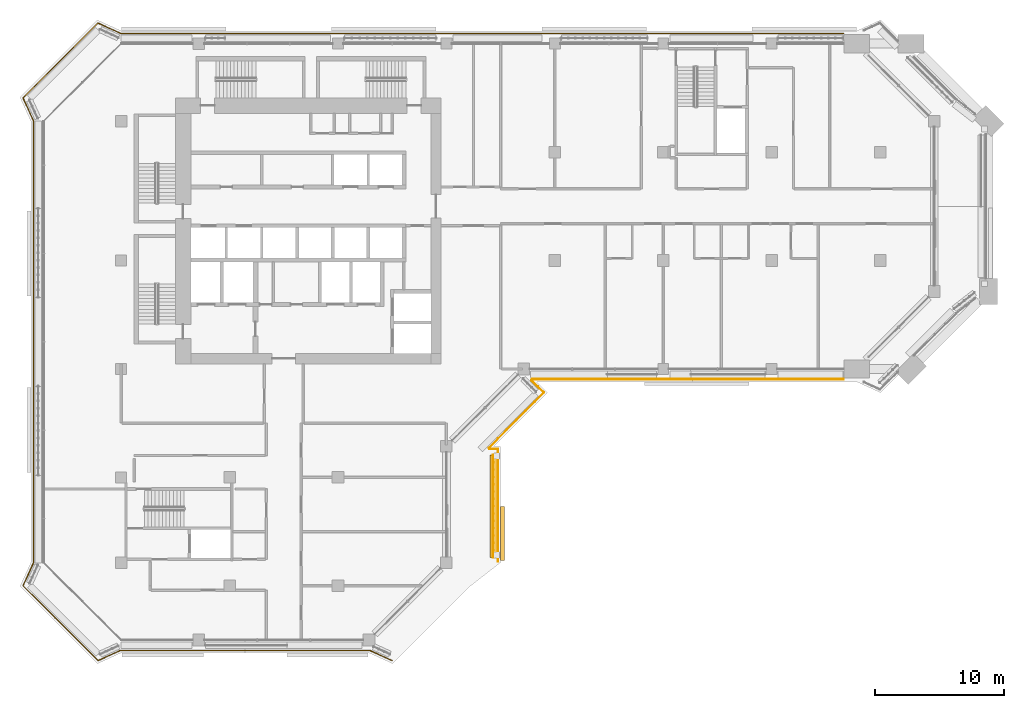
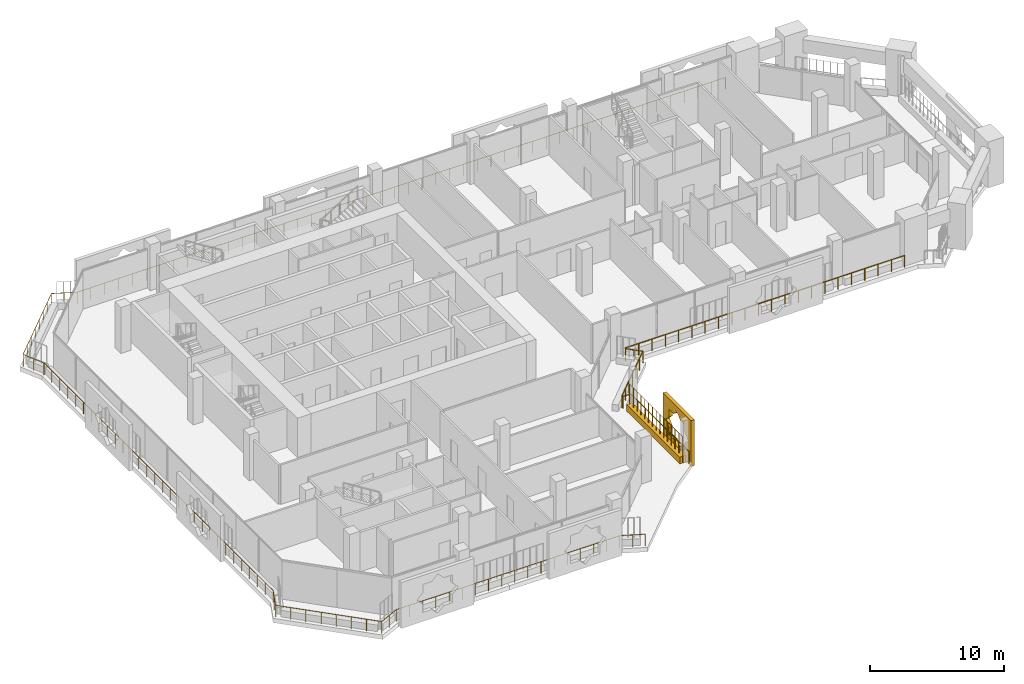
# One storey, part 17 of 21: 3 railings, 2 coverings.
"""IFC4 building model written with IfcOpenShell, lengths in metres."""

from ifc_helpers import new_model, si_unit, direction, frame, origin, origin_2d, place, context, subcontext, project, spatial, polyline, rectangle, circle, outline, extrude, material, material_profile, profile_set, type_object, element, save


model = new_model("IFC4")

# Units and contexts
model_context = context("Model", 3, precision=1e-05, world=origin(), true_north=direction((0.0, 1.0)))
body_context = subcontext(model_context, "Body", "Model", "MODEL_VIEW")
ifc_project = project(units=[si_unit("LENGTHUNIT", "METRE"), si_unit("AREAUNIT", "SQUARE_METRE"), si_unit("VOLUMEUNIT", "CUBIC_METRE"), si_unit("PLANEANGLEUNIT", "RADIAN"), si_unit("MASSUNIT", "GRAM", prefix="KILO")], contexts=[model_context])

# Site, building, storey
site_placement = place(None, origin())
site = spatial("IfcSite", under=ifc_project, at=site_placement, CompositionType="ELEMENT")
building_placement = place(site_placement, origin())
building = spatial("IfcBuilding", under=site, at=building_placement, Name="Kawkab Arch Medical Tower", CompositionType="ELEMENT")
storey_placement = place(building_placement, frame((0.0, 0.0, 234.800048828125)))
storey = spatial("IfcBuildingStorey", under=building, at=storey_placement, Name="L54", CompositionType="ELEMENT", Elevation=234.800048828125)

# Railings
ifc_material_1 = material(Name="Bronze anodised aluminium guard", Category="aluminium")
railing_type_1 = type_object("IfcRailingType", Name="Loggia and terrace guard 1100", PredefinedType="GUARDRAIL", material=ifc_material_1)
railing_1_placement = place(storey_placement, frame((20.9951171875, -47.798095703125, 0.0)))
element("IfcRailing", 1, at=railing_1_placement, inside=storey, type_object=railing_type_1, Name="Guard L54.LOG-01.1.1", PredefinedType="GUARDRAIL", context=body_context, shape_type="SweptSolid", body=[
    extrude(circle(Radius=0.02392578125, at=origin_2d()), frame((0.0, 0.0, 1.076171875), z_axis=(-0.910044860056, 0.414509773934, 0.0), x_axis=(-0.414509773934, -0.910044860056, 0.0)), (0.0, 0.0, 1.0), 1.92529296875),
    extrude(circle(Radius=0.02392578125, at=origin_2d()), frame((-1.752197265625, 0.798095703125, 1.076171875), z_axis=(-1.0, 0.0, 0.0), x_axis=(0.0, -1.0, 0.0)), (0.0, 0.0, 1.0), 19.285888671875),
    extrude(circle(Radius=0.02392578125, at=origin_2d()), frame((-21.0380859375, 0.798095703125, 1.076171875), z_axis=(-0.910023069687, -0.414557610759, 0.0), x_axis=(0.414557610759, -0.910023069687, 0.0)), (0.0, 0.0, 1.0), 1.92529296875),
    extrude(circle(Radius=0.02392578125, at=origin_2d()), frame((-22.7900390625, 0.0, 1.076171875), z_axis=(-0.707106781187, 0.707106781187, 0.0), x_axis=(-0.707106781187, -0.707106781187, 0.0)), (0.0, 0.0, 1.0), 8.20654296875),
    extrude(circle(Radius=0.02392578125, at=origin_2d()), frame((-28.593017578125, 5.802978515625, 1.076171875), z_axis=(0.414404752076, 0.910092688388, 0.0), x_axis=(-0.910092688388, 0.414404752076, 0.0)), (0.0, 0.0, 1.0), 1.92529296875),
    extrude(circle(Radius=0.02392578125, at=origin_2d()), frame((-27.795166015625, 7.55517578125, 1.076171875), z_axis=(0.0, 1.0, 0.0), x_axis=(-1.0, 0.0, 0.0)), (0.0, 0.0, 1.0), 34.285888671875),
    extrude(circle(Radius=0.02392578125, at=origin_2d()), frame((-27.795166015625, 41.841064453125, 1.076171875), z_axis=(-0.414452581809, 0.910070907914, 0.0), x_axis=(-0.910070907914, -0.414452581809, 0.0)), (0.0, 0.0, 1.0), 1.925048828125),
    extrude(circle(Radius=0.02392578125, at=origin_2d()), frame((-28.593017578125, 43.593017578125, 1.076171875), z_axis=(0.707106781187, 0.707106781187, 0.0), x_axis=(-0.707106781187, 0.707106781187, 0.0)), (0.0, 0.0, 1.0), 8.20654296875),
    extrude(circle(Radius=0.02392578125, at=origin_2d()), frame((-22.7900390625, 49.39599609375, 1.076171875), z_axis=(0.910070907914, -0.414452581809, 0.0), x_axis=(0.414452581809, 0.910070907914, 0.0)), (0.0, 0.0, 1.0), 1.925048828125),
    extrude(circle(Radius=0.02392578125, at=origin_2d()), frame((-21.0380859375, 48.59814453125, 1.076171875), z_axis=(1.0, 0.0, 0.0), x_axis=(0.0, 1.0, 0.0)), (0.0, 0.0, 1.0), 56.012939453125),
    extrude(circle(Radius=0.02099609375, at=origin_2d()), origin(), (0.0, 0.0, 1.0), 1.052001953125),
    extrude(circle(Radius=0.02099609375, at=origin_2d()), frame((-0.8759765625, 0.39892578125, 0.0)), (0.0, 0.0, 1.0), 1.052001953125),
    extrude(circle(Radius=0.02099609375, at=origin_2d()), frame((-1.752197265625, 0.798095703125, 0.0)), (0.0, 0.0, 1.0), 1.052001953125),
    extrude(circle(Radius=0.02099609375, at=origin_2d()), frame((-2.88671875, 0.798095703125, 0.0)), (0.0, 0.0, 1.0), 1.052001953125),
    extrude(circle(Radius=0.02099609375, at=origin_2d()), frame((-4.021240234375, 0.798095703125, 0.0)), (0.0, 0.0, 1.0), 1.052001953125),
    extrude(circle(Radius=0.02099609375, at=origin_2d()), frame((-5.155517578125, 0.798095703125, 0.0)), (0.0, 0.0, 1.0), 1.052001953125),
    extrude(circle(Radius=0.02099609375, at=origin_2d()), frame((-6.2900390625, 0.798095703125, 0.0)), (0.0, 0.0, 1.0), 1.052001953125),
    extrude(circle(Radius=0.02099609375, at=origin_2d()), frame((-7.424560546875, 0.798095703125, 0.0)), (0.0, 0.0, 1.0), 1.052001953125),
    extrude(circle(Radius=0.02099609375, at=origin_2d()), frame((-8.55908203125, 0.798095703125, 0.0)), (0.0, 0.0, 1.0), 1.052001953125),
    extrude(circle(Radius=0.02099609375, at=origin_2d()), frame((-9.693359375, 0.798095703125, 0.0)), (0.0, 0.0, 1.0), 1.052001953125),
    extrude(circle(Radius=0.02099609375, at=origin_2d()), frame((-10.827880859375, 0.798095703125, 0.0)), (0.0, 0.0, 1.0), 1.052001953125),
    extrude(circle(Radius=0.02099609375, at=origin_2d()), frame((-11.96240234375, 0.798095703125, 0.0)), (0.0, 0.0, 1.0), 1.052001953125),
    extrude(circle(Radius=0.02099609375, at=origin_2d()), frame((-13.096923828125, 0.798095703125, 0.0)), (0.0, 0.0, 1.0), 1.052001953125),
    extrude(circle(Radius=0.02099609375, at=origin_2d()), frame((-14.231201171875, 0.798095703125, 0.0)), (0.0, 0.0, 1.0), 1.052001953125),
    extrude(circle(Radius=0.02099609375, at=origin_2d()), frame((-15.36572265625, 0.798095703125, 0.0)), (0.0, 0.0, 1.0), 1.052001953125),
    extrude(circle(Radius=0.02099609375, at=origin_2d()), frame((-16.500244140625, 0.798095703125, 0.0)), (0.0, 0.0, 1.0), 1.052001953125),
    extrude(circle(Radius=0.02099609375, at=origin_2d()), frame((-17.634765625, 0.798095703125, 0.0)), (0.0, 0.0, 1.0), 1.052001953125),
    extrude(circle(Radius=0.02099609375, at=origin_2d()), frame((-18.76904296875, 0.798095703125, 0.0)), (0.0, 0.0, 1.0), 1.052001953125),
    extrude(circle(Radius=0.02099609375, at=origin_2d()), frame((-19.903564453125, 0.798095703125, 0.0)), (0.0, 0.0, 1.0), 1.052001953125),
    extrude(circle(Radius=0.02099609375, at=origin_2d()), frame((-21.0380859375, 0.798095703125, 0.0)), (0.0, 0.0, 1.0), 1.052001953125),
    extrude(circle(Radius=0.02099609375, at=origin_2d()), frame((-21.9140625, 0.39892578125, 0.0)), (0.0, 0.0, 1.0), 1.052001953125),
    extrude(circle(Radius=0.02099609375, at=origin_2d()), frame((-22.7900390625, 0.0, 0.0)), (0.0, 0.0, 1.0), 1.052001953125),
    extrude(circle(Radius=0.02099609375, at=origin_2d()), frame((-23.619140625, 0.8291015625, 0.0)), (0.0, 0.0, 1.0), 1.052001953125),
    extrude(circle(Radius=0.02099609375, at=origin_2d()), frame((-24.447998046875, 1.657958984375, 0.0)), (0.0, 0.0, 1.0), 1.052001953125),
    extrude(circle(Radius=0.02099609375, at=origin_2d()), frame((-25.277099609375, 2.487060546875, 0.0)), (0.0, 0.0, 1.0), 1.052001953125),
    extrude(circle(Radius=0.02099609375, at=origin_2d()), frame((-26.10595703125, 3.31591796875, 0.0)), (0.0, 0.0, 1.0), 1.052001953125),
    extrude(circle(Radius=0.02099609375, at=origin_2d()), frame((-26.93505859375, 4.14501953125, 0.0)), (0.0, 0.0, 1.0), 1.052001953125),
    extrude(circle(Radius=0.02099609375, at=origin_2d()), frame((-27.763916015625, 4.973876953125, 0.0)), (0.0, 0.0, 1.0), 1.052001953125),
    extrude(circle(Radius=0.02099609375, at=origin_2d()), frame((-28.593017578125, 5.802978515625, 0.0)), (0.0, 0.0, 1.0), 1.052001953125),
    extrude(circle(Radius=0.02099609375, at=origin_2d()), frame((-28.194091796875, 6.67919921875, 0.0)), (0.0, 0.0, 1.0), 1.052001953125),
    extrude(circle(Radius=0.02099609375, at=origin_2d()), frame((-27.795166015625, 7.55517578125, 0.0)), (0.0, 0.0, 1.0), 1.052001953125),
    extrude(circle(Radius=0.02099609375, at=origin_2d()), frame((-27.795166015625, 8.737548828125, 0.0)), (0.0, 0.0, 1.0), 1.052001953125),
    extrude(circle(Radius=0.02099609375, at=origin_2d()), frame((-27.795166015625, 9.919677734375, 0.0)), (0.0, 0.0, 1.0), 1.052001953125),
    extrude(circle(Radius=0.02099609375, at=origin_2d()), frame((-27.795166015625, 11.10205078125, 0.0)), (0.0, 0.0, 1.0), 1.052001953125),
    extrude(circle(Radius=0.02099609375, at=origin_2d()), frame((-27.795166015625, 12.2841796875, 0.0)), (0.0, 0.0, 1.0), 1.052001953125),
    extrude(circle(Radius=0.02099609375, at=origin_2d()), frame((-27.795166015625, 13.466552734375, 0.0)), (0.0, 0.0, 1.0), 1.052001953125),
    extrude(circle(Radius=0.02099609375, at=origin_2d()), frame((-27.795166015625, 14.64892578125, 0.0)), (0.0, 0.0, 1.0), 1.052001953125),
    extrude(circle(Radius=0.02099609375, at=origin_2d()), frame((-27.795166015625, 15.8310546875, 0.0)), (0.0, 0.0, 1.0), 1.052001953125),
    extrude(circle(Radius=0.02099609375, at=origin_2d()), frame((-27.795166015625, 17.013427734375, 0.0)), (0.0, 0.0, 1.0), 1.052001953125),
    extrude(circle(Radius=0.02099609375, at=origin_2d()), frame((-27.795166015625, 18.195556640625, 0.0)), (0.0, 0.0, 1.0), 1.052001953125),
    extrude(circle(Radius=0.02099609375, at=origin_2d()), frame((-27.795166015625, 19.3779296875, 0.0)), (0.0, 0.0, 1.0), 1.052001953125),
    extrude(circle(Radius=0.02099609375, at=origin_2d()), frame((-27.795166015625, 20.56005859375, 0.0)), (0.0, 0.0, 1.0), 1.052001953125),
    extrude(circle(Radius=0.02099609375, at=origin_2d()), frame((-27.795166015625, 21.742431640625, 0.0)), (0.0, 0.0, 1.0), 1.052001953125),
    extrude(circle(Radius=0.02099609375, at=origin_2d()), frame((-27.795166015625, 22.9248046875, 0.0)), (0.0, 0.0, 1.0), 1.052001953125),
    extrude(circle(Radius=0.02099609375, at=origin_2d()), frame((-27.795166015625, 24.10693359375, 0.0)), (0.0, 0.0, 1.0), 1.052001953125),
    extrude(circle(Radius=0.02099609375, at=origin_2d()), frame((-27.795166015625, 25.289306640625, 0.0)), (0.0, 0.0, 1.0), 1.052001953125),
    extrude(circle(Radius=0.02099609375, at=origin_2d()), frame((-27.795166015625, 26.471435546875, 0.0)), (0.0, 0.0, 1.0), 1.052001953125),
    extrude(circle(Radius=0.02099609375, at=origin_2d()), frame((-27.795166015625, 27.65380859375, 0.0)), (0.0, 0.0, 1.0), 1.052001953125),
    extrude(circle(Radius=0.02099609375, at=origin_2d()), frame((-27.795166015625, 28.836181640625, 0.0)), (0.0, 0.0, 1.0), 1.052001953125),
    extrude(circle(Radius=0.02099609375, at=origin_2d()), frame((-27.795166015625, 30.018310546875, 0.0)), (0.0, 0.0, 1.0), 1.052001953125),
    extrude(circle(Radius=0.02099609375, at=origin_2d()), frame((-27.795166015625, 31.20068359375, 0.0)), (0.0, 0.0, 1.0), 1.052001953125),
    extrude(circle(Radius=0.02099609375, at=origin_2d()), frame((-27.795166015625, 32.3828125, 0.0)), (0.0, 0.0, 1.0), 1.052001953125),
    extrude(circle(Radius=0.02099609375, at=origin_2d()), frame((-27.795166015625, 33.565185546875, 0.0)), (0.0, 0.0, 1.0), 1.052001953125),
    extrude(circle(Radius=0.02099609375, at=origin_2d()), frame((-27.795166015625, 34.747314453125, 0.0)), (0.0, 0.0, 1.0), 1.052001953125),
    extrude(circle(Radius=0.02099609375, at=origin_2d()), frame((-27.795166015625, 35.9296875, 0.0)), (0.0, 0.0, 1.0), 1.052001953125),
    extrude(circle(Radius=0.02099609375, at=origin_2d()), frame((-27.795166015625, 37.112060546875, 0.0)), (0.0, 0.0, 1.0), 1.052001953125),
    extrude(circle(Radius=0.02099609375, at=origin_2d()), frame((-27.795166015625, 38.294189453125, 0.0)), (0.0, 0.0, 1.0), 1.052001953125),
    extrude(circle(Radius=0.02099609375, at=origin_2d()), frame((-27.795166015625, 39.4765625, 0.0)), (0.0, 0.0, 1.0), 1.052001953125),
    extrude(circle(Radius=0.02099609375, at=origin_2d()), frame((-27.795166015625, 40.65869140625, 0.0)), (0.0, 0.0, 1.0), 1.052001953125),
    extrude(circle(Radius=0.02099609375, at=origin_2d()), frame((-27.795166015625, 41.841064453125, 0.0)), (0.0, 0.0, 1.0), 1.052001953125),
    extrude(circle(Radius=0.02099609375, at=origin_2d()), frame((-28.194091796875, 42.717041015625, 0.0)), (0.0, 0.0, 1.0), 1.052001953125),
    extrude(circle(Radius=0.02099609375, at=origin_2d()), frame((-28.593017578125, 43.593017578125, 0.0)), (0.0, 0.0, 1.0), 1.052001953125),
    extrude(circle(Radius=0.02099609375, at=origin_2d()), frame((-27.763916015625, 44.422119140625, 0.0)), (0.0, 0.0, 1.0), 1.052001953125),
    extrude(circle(Radius=0.02099609375, at=origin_2d()), frame((-26.93505859375, 45.2509765625, 0.0)), (0.0, 0.0, 1.0), 1.052001953125),
    extrude(circle(Radius=0.02099609375, at=origin_2d()), frame((-26.10595703125, 46.080078125, 0.0)), (0.0, 0.0, 1.0), 1.052001953125),
    extrude(circle(Radius=0.02099609375, at=origin_2d()), frame((-25.277099609375, 46.908935546875, 0.0)), (0.0, 0.0, 1.0), 1.052001953125),
    extrude(circle(Radius=0.02099609375, at=origin_2d()), frame((-24.447998046875, 47.738037109375, 0.0)), (0.0, 0.0, 1.0), 1.052001953125),
    extrude(circle(Radius=0.02099609375, at=origin_2d()), frame((-23.619140625, 48.56689453125, 0.0)), (0.0, 0.0, 1.0), 1.052001953125),
    extrude(circle(Radius=0.02099609375, at=origin_2d()), frame((-22.7900390625, 49.39599609375, 0.0)), (0.0, 0.0, 1.0), 1.052001953125),
    extrude(circle(Radius=0.02099609375, at=origin_2d()), frame((-21.9140625, 48.9970703125, 0.0)), (0.0, 0.0, 1.0), 1.052001953125),
    extrude(circle(Radius=0.02099609375, at=origin_2d()), frame((-21.0380859375, 48.59814453125, 0.0)), (0.0, 0.0, 1.0), 1.052001953125),
    extrude(circle(Radius=0.02099609375, at=origin_2d()), frame((-19.846435546875, 48.59814453125, 0.0)), (0.0, 0.0, 1.0), 1.052001953125),
    extrude(circle(Radius=0.02099609375, at=origin_2d()), frame((-18.654541015625, 48.59814453125, 0.0)), (0.0, 0.0, 1.0), 1.052001953125),
    extrude(circle(Radius=0.02099609375, at=origin_2d()), frame((-17.462890625, 48.59814453125, 0.0)), (0.0, 0.0, 1.0), 1.052001953125),
    extrude(circle(Radius=0.02099609375, at=origin_2d()), frame((-16.27099609375, 48.59814453125, 0.0)), (0.0, 0.0, 1.0), 1.052001953125),
    extrude(circle(Radius=0.02099609375, at=origin_2d()), frame((-15.079345703125, 48.59814453125, 0.0)), (0.0, 0.0, 1.0), 1.052001953125),
    extrude(circle(Radius=0.02099609375, at=origin_2d()), frame((-13.887451171875, 48.59814453125, 0.0)), (0.0, 0.0, 1.0), 1.052001953125),
    extrude(circle(Radius=0.02099609375, at=origin_2d()), frame((-12.69580078125, 48.59814453125, 0.0)), (0.0, 0.0, 1.0), 1.052001953125),
    extrude(circle(Radius=0.02099609375, at=origin_2d()), frame((-11.50390625, 48.59814453125, 0.0)), (0.0, 0.0, 1.0), 1.052001953125),
    extrude(circle(Radius=0.02099609375, at=origin_2d()), frame((-10.312255859375, 48.59814453125, 0.0)), (0.0, 0.0, 1.0), 1.052001953125),
    extrude(circle(Radius=0.02099609375, at=origin_2d()), frame((-9.120361328125, 48.59814453125, 0.0)), (0.0, 0.0, 1.0), 1.052001953125),
    extrude(circle(Radius=0.02099609375, at=origin_2d()), frame((-7.9287109375, 48.59814453125, 0.0)), (0.0, 0.0, 1.0), 1.052001953125),
    extrude(circle(Radius=0.02099609375, at=origin_2d()), frame((-6.73681640625, 48.59814453125, 0.0)), (0.0, 0.0, 1.0), 1.052001953125),
    extrude(circle(Radius=0.02099609375, at=origin_2d()), frame((-5.545166015625, 48.59814453125, 0.0)), (0.0, 0.0, 1.0), 1.052001953125),
    extrude(circle(Radius=0.02099609375, at=origin_2d()), frame((-4.353271484375, 48.59814453125, 0.0)), (0.0, 0.0, 1.0), 1.052001953125),
    extrude(circle(Radius=0.02099609375, at=origin_2d()), frame((-3.16162109375, 48.59814453125, 0.0)), (0.0, 0.0, 1.0), 1.052001953125),
    extrude(circle(Radius=0.02099609375, at=origin_2d()), frame((-1.969970703125, 48.59814453125, 0.0)), (0.0, 0.0, 1.0), 1.052001953125),
    extrude(circle(Radius=0.02099609375, at=origin_2d()), frame((-0.778076171875, 48.59814453125, 0.0)), (0.0, 0.0, 1.0), 1.052001953125),
    extrude(circle(Radius=0.02099609375, at=origin_2d()), frame((0.41357421875, 48.59814453125, 0.0)), (0.0, 0.0, 1.0), 1.052001953125),
    extrude(circle(Radius=0.02099609375, at=origin_2d()), frame((1.60546875, 48.59814453125, 0.0)), (0.0, 0.0, 1.0), 1.052001953125),
    extrude(circle(Radius=0.02099609375, at=origin_2d()), frame((2.797119140625, 48.59814453125, 0.0)), (0.0, 0.0, 1.0), 1.052001953125),
    extrude(circle(Radius=0.02099609375, at=origin_2d()), frame((3.989013671875, 48.59814453125, 0.0)), (0.0, 0.0, 1.0), 1.052001953125),
    extrude(circle(Radius=0.02099609375, at=origin_2d()), frame((5.1806640625, 48.59814453125, 0.0)), (0.0, 0.0, 1.0), 1.052001953125),
    extrude(circle(Radius=0.02099609375, at=origin_2d()), frame((6.37255859375, 48.59814453125, 0.0)), (0.0, 0.0, 1.0), 1.052001953125),
    extrude(circle(Radius=0.02099609375, at=origin_2d()), frame((7.564208984375, 48.59814453125, 0.0)), (0.0, 0.0, 1.0), 1.052001953125),
    extrude(circle(Radius=0.02099609375, at=origin_2d()), frame((8.756103515625, 48.59814453125, 0.0)), (0.0, 0.0, 1.0), 1.052001953125),
    extrude(circle(Radius=0.02099609375, at=origin_2d()), frame((9.94775390625, 48.59814453125, 0.0)), (0.0, 0.0, 1.0), 1.052001953125),
    extrude(circle(Radius=0.02099609375, at=origin_2d()), frame((11.1396484375, 48.59814453125, 0.0)), (0.0, 0.0, 1.0), 1.052001953125),
    extrude(circle(Radius=0.02099609375, at=origin_2d()), frame((12.331298828125, 48.59814453125, 0.0)), (0.0, 0.0, 1.0), 1.052001953125),
    extrude(circle(Radius=0.02099609375, at=origin_2d()), frame((13.523193359375, 48.59814453125, 0.0)), (0.0, 0.0, 1.0), 1.052001953125),
    extrude(circle(Radius=0.02099609375, at=origin_2d()), frame((14.71484375, 48.59814453125, 0.0)), (0.0, 0.0, 1.0), 1.052001953125),
    extrude(circle(Radius=0.02099609375, at=origin_2d()), frame((15.90673828125, 48.59814453125, 0.0)), (0.0, 0.0, 1.0), 1.052001953125),
    extrude(circle(Radius=0.02099609375, at=origin_2d()), frame((17.098388671875, 48.59814453125, 0.0)), (0.0, 0.0, 1.0), 1.052001953125),
    extrude(circle(Radius=0.02099609375, at=origin_2d()), frame((18.2900390625, 48.59814453125, 0.0)), (0.0, 0.0, 1.0), 1.052001953125),
    extrude(circle(Radius=0.02099609375, at=origin_2d()), frame((19.48193359375, 48.59814453125, 0.0)), (0.0, 0.0, 1.0), 1.052001953125),
    extrude(circle(Radius=0.02099609375, at=origin_2d()), frame((20.673583984375, 48.59814453125, 0.0)), (0.0, 0.0, 1.0), 1.052001953125),
    extrude(circle(Radius=0.02099609375, at=origin_2d()), frame((21.865478515625, 48.59814453125, 0.0)), (0.0, 0.0, 1.0), 1.052001953125),
    extrude(circle(Radius=0.02099609375, at=origin_2d()), frame((23.05712890625, 48.59814453125, 0.0)), (0.0, 0.0, 1.0), 1.052001953125),
    extrude(circle(Radius=0.02099609375, at=origin_2d()), frame((24.2490234375, 48.59814453125, 0.0)), (0.0, 0.0, 1.0), 1.052001953125),
    extrude(circle(Radius=0.02099609375, at=origin_2d()), frame((25.440673828125, 48.59814453125, 0.0)), (0.0, 0.0, 1.0), 1.052001953125),
    extrude(circle(Radius=0.02099609375, at=origin_2d()), frame((26.632568359375, 48.59814453125, 0.0)), (0.0, 0.0, 1.0), 1.052001953125),
    extrude(circle(Radius=0.02099609375, at=origin_2d()), frame((27.82421875, 48.59814453125, 0.0)), (0.0, 0.0, 1.0), 1.052001953125),
    extrude(circle(Radius=0.02099609375, at=origin_2d()), frame((29.01611328125, 48.59814453125, 0.0)), (0.0, 0.0, 1.0), 1.052001953125),
    extrude(circle(Radius=0.02099609375, at=origin_2d()), frame((30.207763671875, 48.59814453125, 0.0)), (0.0, 0.0, 1.0), 1.052001953125),
    extrude(circle(Radius=0.02099609375, at=origin_2d()), frame((31.399658203125, 48.59814453125, 0.0)), (0.0, 0.0, 1.0), 1.052001953125),
    extrude(circle(Radius=0.02099609375, at=origin_2d()), frame((32.59130859375, 48.59814453125, 0.0)), (0.0, 0.0, 1.0), 1.052001953125),
    extrude(circle(Radius=0.02099609375, at=origin_2d()), frame((33.783203125, 48.59814453125, 0.0)), (0.0, 0.0, 1.0), 1.052001953125),
    extrude(circle(Radius=0.02099609375, at=origin_2d()), frame((34.974853515625, 48.59814453125, 0.0)), (0.0, 0.0, 1.0), 1.052001953125),
])
railing_2_placement = place(storey_placement, frame((55.969970703125, -26.0, 0.0)))
element("IfcRailing", 2, at=railing_2_placement, inside=storey, type_object=railing_type_1, Name="Guard L54.LOG-01.1.7", PredefinedType="GUARDRAIL", context=body_context, shape_type="SweptSolid", body=[
    extrude(circle(Radius=0.02392578125, at=origin_2d()), frame((0.0, 0.0, 1.076171875), z_axis=(-1.0, 0.0, 0.0), x_axis=(0.0, -1.0, 0.0)), (0.0, 0.0, 1.0), 24.119873046875),
    extrude(circle(Radius=0.02392578125, at=origin_2d()), frame((-24.119873046875, 0.0, 1.076171875), z_axis=(-0.383763674343, -0.923431341387, 0.0), x_axis=(0.923431341387, -0.383763674343, 0.0)), (0.0, 0.0, 1.0), 0.101806640625),
    extrude(circle(Radius=0.02392578125, at=origin_2d()), frame((-24.158935546875, -0.093994140625, 1.076171875), z_axis=(0.707015335112, -0.707198215437, 0.0), x_axis=(0.707198215437, 0.707015335112, 0.0)), (0.0, 0.0, 1.0), 1.3349609375),
    extrude(circle(Radius=0.02392578125, at=origin_2d()), frame((-23.215087890625, -1.0380859375, 1.076171875), z_axis=(-0.707025867263, -0.707187685852, 0.0), x_axis=(0.707187685852, -0.707025867263, 0.0)), (0.0, 0.0, 1.0), 6.034912109375),
    extrude(circle(Radius=0.02392578125, at=origin_2d()), frame((-27.48193359375, -5.305908203125, 1.076171875), z_axis=(0.383763674343, -0.923431341387, 0.0), x_axis=(0.923431341387, 0.383763674343, 0.0)), (0.0, 0.0, 1.0), 0.101806640625),
    extrude(circle(Radius=0.02392578125, at=origin_2d()), frame((-27.44287109375, -5.39990234375, 1.076171875), z_axis=(1.0, 0.0, 0.0), x_axis=(0.0, 1.0, 0.0)), (0.0, 0.0, 1.0), 0.6728515625),
    extrude(circle(Radius=0.02392578125, at=origin_2d()), frame((-26.77001953125, -5.39990234375, 1.076171875), z_axis=(0.0, -1.0, 0.0), x_axis=(1.0, 0.0, 0.0)), (0.0, 0.0, 1.0), 8.7021484375),
    extrude(circle(Radius=0.02099609375, at=origin_2d()), origin(), (0.0, 0.0, 1.0), 1.052001953125),
    extrude(circle(Radius=0.02099609375, at=origin_2d()), frame((-1.148681640625, 0.0, 0.0)), (0.0, 0.0, 1.0), 1.052001953125),
    extrude(circle(Radius=0.02099609375, at=origin_2d()), frame((-2.297119140625, 0.0, 0.0)), (0.0, 0.0, 1.0), 1.052001953125),
    extrude(circle(Radius=0.02099609375, at=origin_2d()), frame((-3.44580078125, 0.0, 0.0)), (0.0, 0.0, 1.0), 1.052001953125),
    extrude(circle(Radius=0.02099609375, at=origin_2d()), frame((-4.59423828125, 0.0, 0.0)), (0.0, 0.0, 1.0), 1.052001953125),
    extrude(circle(Radius=0.02099609375, at=origin_2d()), frame((-5.742919921875, 0.0, 0.0)), (0.0, 0.0, 1.0), 1.052001953125),
    extrude(circle(Radius=0.02099609375, at=origin_2d()), frame((-6.891357421875, 0.0, 0.0)), (0.0, 0.0, 1.0), 1.052001953125),
    extrude(circle(Radius=0.02099609375, at=origin_2d()), frame((-8.0400390625, 0.0, 0.0)), (0.0, 0.0, 1.0), 1.052001953125),
    extrude(circle(Radius=0.02099609375, at=origin_2d()), frame((-9.1884765625, 0.0, 0.0)), (0.0, 0.0, 1.0), 1.052001953125),
    extrude(circle(Radius=0.02099609375, at=origin_2d()), frame((-10.337158203125, 0.0, 0.0)), (0.0, 0.0, 1.0), 1.052001953125),
    extrude(circle(Radius=0.02099609375, at=origin_2d()), frame((-11.485595703125, 0.0, 0.0)), (0.0, 0.0, 1.0), 1.052001953125),
    extrude(circle(Radius=0.02099609375, at=origin_2d()), frame((-12.63427734375, 0.0, 0.0)), (0.0, 0.0, 1.0), 1.052001953125),
    extrude(circle(Radius=0.02099609375, at=origin_2d()), frame((-13.78271484375, 0.0, 0.0)), (0.0, 0.0, 1.0), 1.052001953125),
    extrude(circle(Radius=0.02099609375, at=origin_2d()), frame((-14.931396484375, 0.0, 0.0)), (0.0, 0.0, 1.0), 1.052001953125),
    extrude(circle(Radius=0.02099609375, at=origin_2d()), frame((-16.079833984375, 0.0, 0.0)), (0.0, 0.0, 1.0), 1.052001953125),
    extrude(circle(Radius=0.02099609375, at=origin_2d()), frame((-17.228515625, 0.0, 0.0)), (0.0, 0.0, 1.0), 1.052001953125),
    extrude(circle(Radius=0.02099609375, at=origin_2d()), frame((-18.376953125, 0.0, 0.0)), (0.0, 0.0, 1.0), 1.052001953125),
    extrude(circle(Radius=0.02099609375, at=origin_2d()), frame((-19.525634765625, 0.0, 0.0)), (0.0, 0.0, 1.0), 1.052001953125),
    extrude(circle(Radius=0.02099609375, at=origin_2d()), frame((-20.674072265625, 0.0, 0.0)), (0.0, 0.0, 1.0), 1.052001953125),
    extrude(circle(Radius=0.02099609375, at=origin_2d()), frame((-21.82275390625, 0.0, 0.0)), (0.0, 0.0, 1.0), 1.052001953125),
    extrude(circle(Radius=0.02099609375, at=origin_2d()), frame((-22.97119140625, 0.0, 0.0)), (0.0, 0.0, 1.0), 1.052001953125),
    extrude(circle(Radius=0.02099609375, at=origin_2d()), frame((-24.119873046875, 0.0, 0.0)), (0.0, 0.0, 1.0), 1.052001953125),
    extrude(circle(Radius=0.02099609375, at=origin_2d()), frame((-24.158935546875, -0.093994140625, 0.0)), (0.0, 0.0, 1.0), 1.052001953125),
    extrude(circle(Radius=0.02099609375, at=origin_2d()), frame((-23.68701171875, -0.56591796875, 0.0)), (0.0, 0.0, 1.0), 1.052001953125),
    extrude(circle(Radius=0.02099609375, at=origin_2d()), frame((-23.215087890625, -1.0380859375, 0.0)), (0.0, 0.0, 1.0), 1.052001953125),
    extrude(circle(Radius=0.02099609375, at=origin_2d()), frame((-23.92626953125, -1.74951171875, 0.0)), (0.0, 0.0, 1.0), 1.052001953125),
    extrude(circle(Radius=0.02099609375, at=origin_2d()), frame((-24.637451171875, -2.460693359375, 0.0)), (0.0, 0.0, 1.0), 1.052001953125),
    extrude(circle(Radius=0.02099609375, at=origin_2d()), frame((-25.3486328125, -3.171875, 0.0)), (0.0, 0.0, 1.0), 1.052001953125),
    extrude(circle(Radius=0.02099609375, at=origin_2d()), frame((-26.0595703125, -3.88330078125, 0.0)), (0.0, 0.0, 1.0), 1.052001953125),
    extrude(circle(Radius=0.02099609375, at=origin_2d()), frame((-26.770751953125, -4.5947265625, 0.0)), (0.0, 0.0, 1.0), 1.052001953125),
    extrude(circle(Radius=0.02099609375, at=origin_2d()), frame((-27.48193359375, -5.305908203125, 0.0)), (0.0, 0.0, 1.0), 1.052001953125),
    extrude(circle(Radius=0.02099609375, at=origin_2d()), frame((-27.44287109375, -5.39990234375, 0.0)), (0.0, 0.0, 1.0), 1.052001953125),
    extrude(circle(Radius=0.02099609375, at=origin_2d()), frame((-26.77001953125, -5.39990234375, 0.0)), (0.0, 0.0, 1.0), 1.052001953125),
    extrude(circle(Radius=0.02099609375, at=origin_2d()), frame((-26.77001953125, -6.48779296875, 0.0)), (0.0, 0.0, 1.0), 1.052001953125),
    extrude(circle(Radius=0.02099609375, at=origin_2d()), frame((-26.77001953125, -7.575439453125, 0.0)), (0.0, 0.0, 1.0), 1.052001953125),
    extrude(circle(Radius=0.02099609375, at=origin_2d()), frame((-26.77001953125, -8.6630859375, 0.0)), (0.0, 0.0, 1.0), 1.052001953125),
    extrude(circle(Radius=0.02099609375, at=origin_2d()), frame((-26.77001953125, -9.7509765625, 0.0)), (0.0, 0.0, 1.0), 1.052001953125),
    extrude(circle(Radius=0.02099609375, at=origin_2d()), frame((-26.77001953125, -10.8388671875, 0.0)), (0.0, 0.0, 1.0), 1.052001953125),
    extrude(circle(Radius=0.02099609375, at=origin_2d()), frame((-26.77001953125, -11.926513671875, 0.0)), (0.0, 0.0, 1.0), 1.052001953125),
    extrude(circle(Radius=0.02099609375, at=origin_2d()), frame((-26.77001953125, -13.01416015625, 0.0)), (0.0, 0.0, 1.0), 1.052001953125),
    extrude(circle(Radius=0.02099609375, at=origin_2d()), frame((-26.77001953125, -14.10205078125, 0.0)), (0.0, 0.0, 1.0), 1.052001953125),
])

# Coverings
ifc_material_2 = material(Name="Bronze anodised aluminium mashrabiya panel, eight-point star pattern", Category="aluminium")
ifc_material_profile_1 = material_profile(ifc_material_2, outline(polyline([(-2.10009765625, -2.10009765625), (2.10009765625, -2.10009765625), (2.10009765625, 2.10009765625), (-2.10009765625, 2.10009765625), (-2.10009765625, -2.10009765625)]), holes=[polyline([(1.64990234375, 0.0), (1.166748046875, 0.4833984375), (1.166748046875, 1.166748046875), (0.4833984375, 1.166748046875), (0.0, 1.64990234375), (-0.4833984375, 1.166748046875), (-1.166748046875, 1.166748046875), (-1.166748046875, 0.4833984375), (-1.64990234375, 0.0), (-1.166748046875, -0.4833984375), (-1.166748046875, -1.166748046875), (-0.4833984375, -1.166748046875), (0.0, -1.64990234375), (0.4833984375, -1.166748046875), (1.166748046875, -1.166748046875), (1.166748046875, -0.4833984375), (1.64990234375, 0.0)])]), Name="Mashrabiya panel 4200x4200")
ifc_profile_set_1 = profile_set([ifc_material_profile_1], Name="Bronze anodised aluminium mashrabiya panel, eight-point star pattern")
covering_type_1 = type_object("IfcCoveringType", Name="Mashrabiya panel 4200 x 4200", PredefinedType="USERDEFINED", material=ifc_profile_set_1)
covering_1_placement = place(storey_placement, frame((29.39990234375, -37.94873046875, 1.699951171875), z_axis=(1.0, 0.0, 0.0), x_axis=(0.0, 1.0, 0.0)))
element("IfcCovering", 3, at=covering_1_placement, inside=storey, type_object=covering_type_1, Name="Mashrabiya panel L54.LOG-01-01.11", ObjectType="SCREEN", PredefinedType="USERDEFINED", context=body_context, shape_type="SweptSolid", body=[
    extrude(outline(polyline([(-2.10009765625, -2.10009765625), (2.10009765625, -2.10009765625), (2.10009765625, 2.10009765625), (-2.10009765625, 2.10009765625), (-2.10009765625, -2.10009765625)]), holes=[polyline([(1.64990234375, 0.0), (1.166748046875, 0.4833984375), (1.166748046875, 1.166748046875), (0.4833984375, 1.166748046875), (0.0, 1.64990234375), (-0.4833984375, 1.166748046875), (-1.166748046875, 1.166748046875), (-1.166748046875, 0.4833984375), (-1.64990234375, 0.0), (-1.166748046875, -0.4833984375), (-1.166748046875, -1.166748046875), (-0.4833984375, -1.166748046875), (0.0, -1.64990234375), (0.4833984375, -1.166748046875), (1.166748046875, -1.166748046875), (1.166748046875, -0.4833984375), (1.64990234375, 0.0)])]), origin(), (0.0, 0.0, 1.0), 0.300048828125),
])
ifc_material_3 = material(Name="Planting soil in a precast trough", Category="concrete")
ifc_material_profile_2 = material_profile(ifc_material_3, rectangle(XDim=0.5, YDim=0.60009765625, at=origin_2d()), Name="Trough 500x600")
ifc_profile_set_2 = profile_set([ifc_material_profile_2], Name="Planting soil in a precast trough")
covering_type_2 = type_object("IfcCoveringType", Name="Planter trough 500 x 600", PredefinedType="USERDEFINED", material=ifc_profile_set_2)
covering_2_placement = place(storey_placement, frame((28.820068359375, -31.8798828125, 0.300048828125), z_axis=(0.0, -1.0, 0.0), x_axis=(1.0, 0.0, 0.0)))
element("IfcCovering", 4, at=covering_2_placement, inside=storey, type_object=covering_type_2, Name="Planter L54.LOG-01-01.39", ObjectType="PLANTER", PredefinedType="USERDEFINED", context=body_context, shape_type="SweptSolid", body=[
    extrude(rectangle(XDim=0.5, YDim=0.60009765625, at=origin_2d()), origin(), (0.0, 0.0, 1.0), 7.93603515625),
])

# Railing
ifc_material_4 = material(Name="Bronze anodised aluminium trellis for climbing plants", Category="aluminium")
railing_type_2 = type_object("IfcRailingType", Name="Planting trellis 2400", PredefinedType="USERDEFINED", material=ifc_material_4)
railing_3_placement = place(storey_placement, frame((28.820068359375, -31.8798828125, 0.0)))
element("IfcRailing", 5, at=railing_3_placement, inside=storey, type_object=railing_type_2, Name="Planting trellis L54.LOG-01-01.39", ObjectType="TRELLIS", PredefinedType="USERDEFINED", context=body_context, shape_type="SweptSolid", body=[
    extrude(circle(Radius=0.01513671875, at=origin_2d()), frame((0.0, 0.0, 2.384765625), z_axis=(0.0, -1.0, 0.0), x_axis=(1.0, 0.0, 0.0)), (0.0, 0.0, 1.0), 7.93603515625),
    extrude(circle(Radius=0.030029296875, at=origin_2d()), origin(), (0.0, 0.0, 1.0), 2.369873046875),
    extrude(circle(Radius=0.030029296875, at=origin_2d()), frame((0.0, -0.56689453125, 0.0)), (0.0, 0.0, 1.0), 2.369873046875),
    extrude(circle(Radius=0.030029296875, at=origin_2d()), frame((0.0, -1.1337890625, 0.0)), (0.0, 0.0, 1.0), 2.369873046875),
    extrude(circle(Radius=0.030029296875, at=origin_2d()), frame((0.0, -1.70068359375, 0.0)), (0.0, 0.0, 1.0), 2.369873046875),
    extrude(circle(Radius=0.030029296875, at=origin_2d()), frame((0.0, -2.267333984375, 0.0)), (0.0, 0.0, 1.0), 2.369873046875),
    extrude(circle(Radius=0.030029296875, at=origin_2d()), frame((0.0, -2.834228515625, 0.0)), (0.0, 0.0, 1.0), 2.369873046875),
    extrude(circle(Radius=0.030029296875, at=origin_2d()), frame((0.0, -3.401123046875, 0.0)), (0.0, 0.0, 1.0), 2.369873046875),
    extrude(circle(Radius=0.030029296875, at=origin_2d()), frame((0.0, -3.968017578125, 0.0)), (0.0, 0.0, 1.0), 2.369873046875),
    extrude(circle(Radius=0.030029296875, at=origin_2d()), frame((0.0, -4.534912109375, 0.0)), (0.0, 0.0, 1.0), 2.369873046875),
    extrude(circle(Radius=0.030029296875, at=origin_2d()), frame((0.0, -5.101806640625, 0.0)), (0.0, 0.0, 1.0), 2.369873046875),
    extrude(circle(Radius=0.030029296875, at=origin_2d()), frame((0.0, -5.668701171875, 0.0)), (0.0, 0.0, 1.0), 2.369873046875),
    extrude(circle(Radius=0.030029296875, at=origin_2d()), frame((0.0, -6.2353515625, 0.0)), (0.0, 0.0, 1.0), 2.369873046875),
    extrude(circle(Radius=0.030029296875, at=origin_2d()), frame((0.0, -6.80224609375, 0.0)), (0.0, 0.0, 1.0), 2.369873046875),
    extrude(circle(Radius=0.030029296875, at=origin_2d()), frame((0.0, -7.369140625, 0.0)), (0.0, 0.0, 1.0), 2.369873046875),
    extrude(circle(Radius=0.030029296875, at=origin_2d()), frame((0.0, -7.93603515625, 0.0)), (0.0, 0.0, 1.0), 2.369873046875),
])

save(model, "model.ifc")
